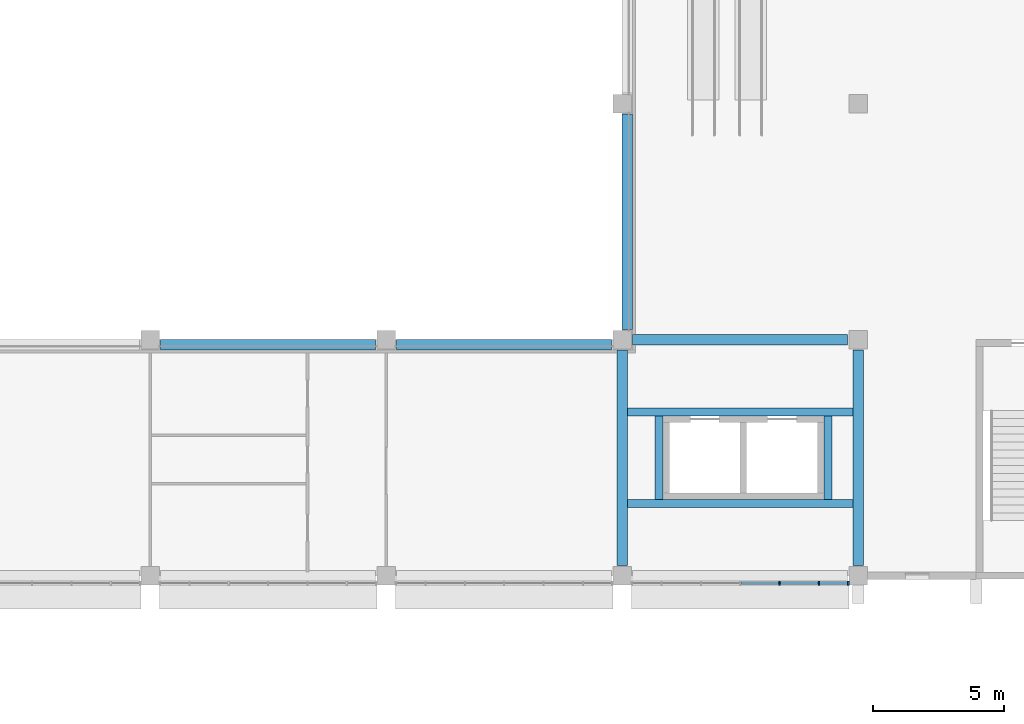
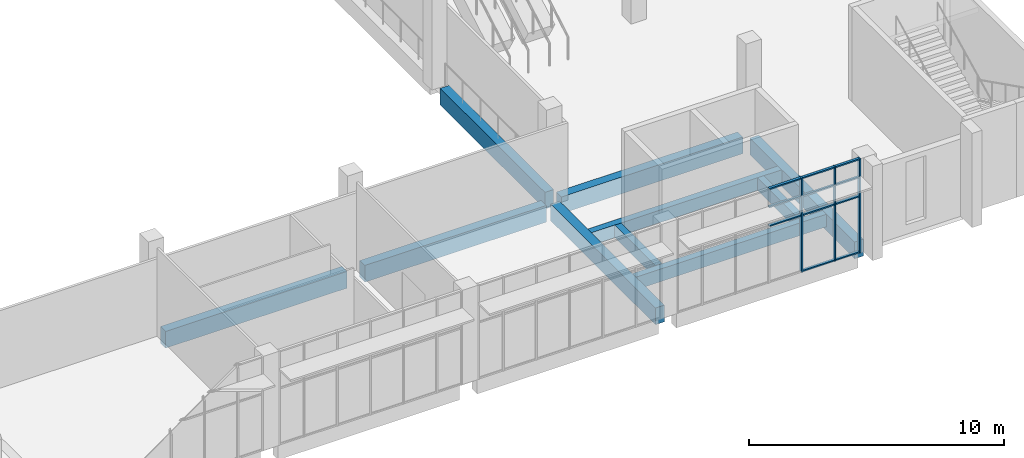
# One storey, part 6 of 45: 14 members, 10 beams, 1 element without a shape of its own.
"""IFC4 building model written with IfcOpenShell, lengths in metres."""

import ifcopenshell
import ifcopenshell.guid

model = None  # the IFC model being written
_history = None  # IfcOwnerHistory: only IFC2X3 demands one
_inside = {}  # id of a spatial element -> (the spatial element, [elements in it])
_under = {}  # id of a project, library or spatial element -> (it, [spatial elements below it])
_declared = {}  # id of a project -> (the project, [libraries it declares])
_typed = {}  # id of a type object -> (the type object, [elements of that type])
_made_of = {}  # id of a material, layer set ... -> (it, [elements and type objects made of it])


def new_model(schema):
    """Start an empty IFC model of exactly this schema.

    Asked for "IFC4X3", IfcOpenShell would pick the latest addendum, in which some entities
    have other attributes; the version numbers below select the first issue.
    IFC2X3 requires an IfcOwnerHistory on every rooted entity: one is made here for all.
    """
    global model, _history
    if schema == "IFC4X3":
        model = ifcopenshell.file(schema_version=(4, 3, 0, 0))
    else:
        model = ifcopenshell.file(schema=schema)
    _inside.clear()
    _under.clear()
    _declared.clear()
    _typed.clear()
    _made_of.clear()
    _history = None
    if model.schema == "IFC2X3":
        org = make("IfcOrganization", Name="unknown")
        user = make(
            "IfcPersonAndOrganization",
            ThePerson=make("IfcPerson", FamilyName="unknown"),
            TheOrganization=org,
        )
        app = make(
            "IfcApplication",
            ApplicationDeveloper=org,
            Version="unknown",
            ApplicationFullName="unknown",
            ApplicationIdentifier="unknown",
        )
        _history = make(
            "IfcOwnerHistory",
            OwningUser=user,
            OwningApplication=app,
            ChangeAction="ADDED",
            CreationDate=0,
        )
    return model


def make(cls, **values):
    """One entity of the class cls with the attributes given. An attribute that is None is left unset."""
    return model.create_entity(
        cls, **{name: value for name, value in values.items() if value is not None}
    )


def rooted(cls, **values):
    """An entity with a GlobalId (a new one), such as an element, a storey or a relation."""
    return make(cls, GlobalId=ifcopenshell.guid.new(), OwnerHistory=_history, **values)


def si_unit(unit_type, name, prefix=None):
    """IfcSIUnit, for example si_unit("LENGTHUNIT", "METRE", prefix="MILLI")."""
    return make("IfcSIUnit", UnitType=unit_type, Prefix=prefix, Name=name)


def assignment(units):
    """IfcUnitAssignment: the units of a project."""
    return None if units is None else make("IfcUnitAssignment", Units=units)


def point(xyz):
    """IfcCartesianPoint."""
    return None if xyz is None else make("IfcCartesianPoint", Coordinates=xyz)


def direction(xyz):
    """IfcDirection."""
    return None if xyz is None else make("IfcDirection", DirectionRatios=xyz)


def frame(location, z_axis=None, x_axis=None):
    """IfcAxis2Placement3D, a coordinate frame: its origin and axes. An axis left out is left unset."""
    return make(
        "IfcAxis2Placement3D",
        Location=point(location),
        Axis=direction(z_axis),
        RefDirection=direction(x_axis),
    )


def frame_2d(location, x_axis=None):
    """IfcAxis2Placement2D, a coordinate frame in the plane: its origin and x axis."""
    return make(
        "IfcAxis2Placement2D", Location=point(location), RefDirection=direction(x_axis)
    )


def origin():
    """The frame at (0, 0, 0) with its axes left unset."""
    return frame((0.0, 0.0, 0.0))


def origin_2d():
    """The frame at (0, 0) in the plane with its x axis left unset."""
    return frame_2d((0.0, 0.0))


def place(relative_to, where):
    """IfcLocalPlacement: puts the frame where relative to a parent placement (None: the world)."""
    return make(
        "IfcLocalPlacement", PlacementRelTo=relative_to, RelativePlacement=where
    )


def context(
    kind, dimensions, precision=None, world=None, true_north=None, identifier=None
):
    """IfcGeometricRepresentationContext, for example the 3D "Model" context."""
    return make(
        "IfcGeometricRepresentationContext",
        ContextIdentifier=identifier,
        ContextType=kind,
        CoordinateSpaceDimension=dimensions,
        Precision=precision,
        WorldCoordinateSystem=world,
        TrueNorth=true_north,
    )


def subcontext(parent, identifier, kind, view, scale=None):
    """IfcGeometricRepresentationSubContext, for example "Body" below "Model"."""
    return make(
        "IfcGeometricRepresentationSubContext",
        ContextIdentifier=identifier,
        ContextType=kind,
        ParentContext=parent,
        TargetScale=scale,
        TargetView=view,
    )


def project(units=None, contexts=None):
    """IfcProject with its units and contexts."""
    return rooted(
        "IfcProject",
        Name="project",
        RepresentationContexts=contexts,
        UnitsInContext=assignment(units),
    )


def spatial(cls, under=None, at=None, **own):
    """A site, building, storey or space (cls), placed at a placement, below another one or the project."""
    s = rooted(cls, ObjectPlacement=at, **own)
    if under is not None:
        _under.setdefault(under.id(), (under, []))[1].append(s)
    return s


def profile(cls, at=None, kind="AREA", **sizes):
    """A parametric profile (cls). Its sizes go by their IFC names, for example OverallWidth=200.0."""
    return make(cls, ProfileType=kind, Position=at, **sizes)


def rectangle(**sizes):
    """IfcRectangleProfileDef."""
    return profile("IfcRectangleProfileDef", **sizes)


def extrude(swept, where, along, depth):
    """IfcExtrudedAreaSolid: the profile swept, set in the frame where, extruded along a direction by depth."""
    return make(
        "IfcExtrudedAreaSolid",
        SweptArea=swept,
        Position=where,
        ExtrudedDirection=direction(along),
        Depth=depth,
    )


def shape(context_of_items, identifier, shape_type, items):
    """IfcShapeRepresentation: the items that make up one representation, for example the "Body"."""
    return make(
        "IfcShapeRepresentation",
        ContextOfItems=context_of_items,
        RepresentationIdentifier=identifier,
        RepresentationType=shape_type,
        Items=items,
    )


def material(Name=None, Category=None):
    """IfcMaterial."""
    return make("IfcMaterial", Name=Name, Category=Category)


def layer(
    of_material, thickness, ventilated=None, Name=None, Category=None, Priority=None
):
    """IfcMaterialLayer: one layer of a wall or slab, of a material (None: an air gap)."""
    return make(
        "IfcMaterialLayer",
        Material=of_material,
        LayerThickness=thickness,
        IsVentilated=ventilated,
        Name=Name,
        Category=Category,
        Priority=Priority,
    )


def layer_set(layers, Name=None):
    """IfcMaterialLayerSet."""
    return make("IfcMaterialLayerSet", MaterialLayers=layers, LayerSetName=Name)


def material_profile(
    of_material, cross_section, Name=None, Category=None, Priority=None
):
    """IfcMaterialProfile: a cross section and its material."""
    return make(
        "IfcMaterialProfile",
        Name=Name,
        Material=of_material,
        Profile=cross_section,
        Priority=Priority,
        Category=Category,
    )


def profile_set(profiles, Name=None, composite=None):
    """IfcMaterialProfileSet."""
    return make(
        "IfcMaterialProfileSet",
        Name=Name,
        MaterialProfiles=profiles,
        CompositeProfile=composite,
    )


def made_of(thing, what):
    """Note that an element or type object is made of a material, layer set ...; save() writes the relation."""
    if what is not None:
        _made_of.setdefault(what.id(), (what, []))[1].append(thing)
    return thing


def type_object(cls, material=None, **own):
    """A type object (cls), such as IfcWallType, which elements share."""
    return made_of(rooted(cls, **own), material)


def element(
    cls,
    number,
    at=None,
    inside=None,
    cuts=None,
    type_object=None,
    material=None,
    context=None,
    identifier="Body",
    shape_type=None,
    held_by="IfcProductDefinitionShape",
    body=None,
    shapes=None,
    **own,
):
    """One element of the class cls, such as IfcWall. Its Tag is "e" and its number.

    at: its placement. inside: the storey or other place that contains it. cuts: it is an
    opening in that element (IfcRelVoidsElement). A single representation is given by context,
    identifier, shape_type and body (its items); several are given by shapes. held_by: the class
    of the entity that holds the representations. save() writes the other relations.
    """
    e = rooted(cls, Tag="e%d" % number, ObjectPlacement=at, **own)
    if body is not None:
        shapes = [shape(context, identifier, shape_type, body)]
    if shapes is not None:
        e.Representation = make(held_by, Representations=shapes)
    if inside is not None:
        _inside.setdefault(inside.id(), (inside, []))[1].append(e)
    if cuts is not None:
        rooted(
            "IfcRelVoidsElement", RelatingBuildingElement=cuts, RelatedOpeningElement=e
        )
    if type_object is not None:
        _typed.setdefault(type_object.id(), (type_object, []))[1].append(e)
    return made_of(e, material)


def aggregate(whole, parts):
    """IfcRelAggregates: a whole, such as a stair, and the parts it consists of."""
    return rooted("IfcRelAggregates", RelatingObject=whole, RelatedObjects=parts)


def save(model, path):
    """Write the relations noted so far, then the file.

    IfcRelAggregates (storeys below a building ...), IfcRelContainedInSpatialStructure (elements
    in a storey), IfcRelDefinesByType, IfcRelAssociatesMaterial and IfcRelDeclares: one each for
    every whole, place, type object, material and project.
    """
    for whole, parts in _under.values():
        aggregate(whole, parts)
    for where, things in _inside.values():
        rooted(
            "IfcRelContainedInSpatialStructure",
            RelatedElements=things,
            RelatingStructure=where,
        )
    for kind, things in _typed.values():
        rooted("IfcRelDefinesByType", RelatedObjects=things, RelatingType=kind)
    for what, things in _made_of.values():
        rooted("IfcRelAssociatesMaterial", RelatedObjects=things, RelatingMaterial=what)
    for by, libraries in _declared.values():
        rooted("IfcRelDeclares", RelatingContext=by, RelatedDefinitions=libraries)
    model.write(path)


model = new_model("IFC4")

# Units and contexts
model_context = context("Model", 3, precision=1e-05, world=origin(), true_north=direction((0.0, 1.0)))
body_context = subcontext(model_context, "Body", "Model", "MODEL_VIEW")
ifc_project = project(units=[si_unit("LENGTHUNIT", "METRE"), si_unit("AREAUNIT", "SQUARE_METRE"), si_unit("VOLUMEUNIT", "CUBIC_METRE"), si_unit("PLANEANGLEUNIT", "RADIAN"), si_unit("MASSUNIT", "GRAM", prefix="KILO")], contexts=[model_context])

# Site, building, storey
site_placement = place(None, origin())
site = spatial("IfcSite", under=ifc_project, at=site_placement, CompositionType="ELEMENT")
building_placement = place(site_placement, origin())
building = spatial("IfcBuilding", under=site, at=building_placement, Name="Guidao Yard Department Store", CompositionType="ELEMENT")
storey_placement = place(building_placement, frame((0.0, 0.0, 19.5)))
storey = spatial("IfcBuildingStorey", under=building, at=storey_placement, Name="L04", CompositionType="ELEMENT", Elevation=19.5)

# Beams
ifc_material_1 = material(Name="Concrete C40", Category="concrete")
ifc_material_profile_1 = material_profile(ifc_material_1, rectangle(XDim=0.39990234375, YDim=0.800048828125, at=origin_2d()), Name="Edge beam 400 x 800 C40")
ifc_profile_set_1 = profile_set([ifc_material_profile_1], Name="Concrete C40")
beam_type_1 = type_object("IfcBeamType", Name="Edge beam 400 x 800 C40", PredefinedType="BEAM", material=ifc_profile_set_1)
for number, where, z_axis, x_axis, name in (
    (1, (27.39990234375, 53.800048828125, -0.39990234375), (1.0, 0.0, 0.0), (0.0, 1.0, 0.0), "Beam EB18"),
    (2, (36.39990234375, 53.800048828125, -0.39990234375), (1.0, 0.0, 0.0), (0.0, 1.0, 0.0), "Beam EB19"),
    (3, (45.199951171875, 54.39990234375, -0.39990234375), (0.0, 1.0, 0.0), (-1.0, 0.0, 0.0), "Beam EB20"),
    (4, (45.39990234375, 54.0, -0.39990234375), (1.0, 0.0, 0.0), (0.0, 1.0, 0.0), "Beam EB37"),
    (5, (45.0, 45.39990234375, -0.39990234375), (0.0, 1.0, 0.0), (-1.0, 0.0, 0.0), "Beam EB38"),
    (6, (54.0, 45.39990234375, -0.39990234375), (0.0, 1.0, 0.0), (-1.0, 0.0, 0.0), "Beam EB39"),
):
    element("IfcBeam", number, at=place(storey_placement, frame(where, z_axis=z_axis, x_axis=x_axis)), inside=storey, type_object=beam_type_1, Name=name, PredefinedType="BEAM", context=body_context, shape_type="SweptSolid", body=[
        extrude(rectangle(XDim=0.39990234375, YDim=0.800048828125, at=origin_2d()), origin(), (0.0, 0.0, 1.0), 8.2001953125),
    ])

# Curtain wall, members
ifc_material_2 = material(Name="Aluminium and glass", Category="aluminium")
ifc_layer = layer(ifc_material_2, 0.159912109375)
ifc_layer_set = layer_set([ifc_layer], Name="Hall front curtain wall CW2 1500 module")
curtain_wall_type = type_object("IfcCurtainWallType", Name="Hall front curtain wall CW2 1500 module", PredefinedType="NOTDEFINED", material=ifc_layer_set)
curtain_wall_placement = place(storey_placement, origin())
curtain_wall = element("IfcCurtainWall", 7, at=curtain_wall_placement, inside=storey, type_object=curtain_wall_type, Name="Hall front curtain wall", PredefinedType="NOTDEFINED")
ifc_material_3 = material(Name="Aluminium 6063-T5", Category="aluminium")
ifc_material_profile_2 = material_profile(ifc_material_3, rectangle(XDim=0.06005859375, YDim=0.159912109375, at=origin_2d()), Name="Mullion M1 60 x 160 aluminium pressure plate")
ifc_profile_set_2 = profile_set([ifc_material_profile_2], Name="Aluminium 6063-T5")
member_type_1 = type_object("IfcMemberType", Name="Mullion M1 60 x 160 aluminium pressure plate", PredefinedType="MULLION", material=ifc_profile_set_2)
member_1_placement = place(storey_placement, frame((51.0, 44.719970703125, 0.0), z_axis=(0.0, 0.0, 1.0), x_axis=(-1.0, 0.0, 0.0)))
member_1 = element("IfcMember", 8, at=member_1_placement, type_object=member_type_1, Name="CW-HF-L04-05 mullion 5", PredefinedType="MULLION", context=body_context, shape_type="SweptSolid", body=[
    extrude(rectangle(XDim=0.06005859375, YDim=0.159912109375, at=origin_2d()), origin(), (0.0, 0.0, 1.0), 4.5),
])
member_2_placement = place(storey_placement, frame((52.5, 44.719970703125, 0.0), z_axis=(0.0, 0.0, 1.0), x_axis=(-1.0, 0.0, 0.0)))
member_2 = element("IfcMember", 9, at=member_2_placement, type_object=member_type_1, Name="CW-HF-L04-05 mullion 6", PredefinedType="MULLION", context=body_context, shape_type="SweptSolid", body=[
    extrude(rectangle(XDim=0.06005859375, YDim=0.159912109375, at=origin_2d()), origin(), (0.0, 0.0, 1.0), 4.5),
])
member_3_placement = place(storey_placement, frame((53.6201171875, 44.719970703125, 0.0), z_axis=(0.0, 0.0, 1.0), x_axis=(-1.0, 0.0, 0.0)))
member_3 = element("IfcMember", 10, at=member_3_placement, type_object=member_type_1, Name="CW-HF-L04-05 mullion 7", PredefinedType="MULLION", context=body_context, shape_type="SweptSolid", body=[
    extrude(rectangle(XDim=0.06005859375, YDim=0.159912109375, at=origin_2d()), origin(), (0.0, 0.0, 1.0), 4.5),
])

# Beams
ifc_material_4 = material(Name="Concrete C40", Category="concrete")
ifc_material_profile_3 = material_profile(ifc_material_4, rectangle(XDim=0.300048828125, YDim=0.60009765625, at=origin_2d()), Name="Opening beam 300 x 600 C40")
ifc_profile_set_3 = profile_set([ifc_material_profile_3], Name="Concrete C40")
beam_type_2 = type_object("IfcBeamType", Name="Opening beam 300 x 600 C40", PredefinedType="BEAM", material=ifc_profile_set_3)
for number, where, z_axis, x_axis, name in (
    (11, (45.199951171875, 47.75, -0.300048828125), (1.0, 0.0, 0.0), (0.0, 1.0, 0.0), "Beam OB09"),
    (12, (45.199951171875, 51.25, -0.300048828125), (1.0, 0.0, 0.0), (0.0, 1.0, 0.0), "Beam OB10"),
):
    element("IfcBeam", number, at=place(storey_placement, frame(where, z_axis=z_axis, x_axis=x_axis)), inside=storey, type_object=beam_type_2, Name=name, PredefinedType="BEAM", context=body_context, shape_type="SweptSolid", body=[
        extrude(rectangle(XDim=0.300048828125, YDim=0.60009765625, at=origin_2d()), origin(), (0.0, 0.0, 1.0), 8.60009765625),
    ])
for number, where, z_axis, x_axis, name in (
    (13, (46.39990234375, 47.89990234375, -0.300048828125), (0.0, 1.0, 0.0), (-1.0, 0.0, 0.0), "Beam OB11"),
    (14, (52.85009765625, 47.89990234375, -0.300048828125), (0.0, 1.0, 0.0), (-1.0, 0.0, 0.0), "Beam OB12"),
):
    element("IfcBeam", number, at=place(storey_placement, frame(where, z_axis=z_axis, x_axis=x_axis)), inside=storey, type_object=beam_type_2, Name=name, PredefinedType="BEAM", context=body_context, shape_type="SweptSolid", body=[
        extrude(rectangle(XDim=0.300048828125, YDim=0.60009765625, at=origin_2d()), origin(), (0.0, 0.0, 1.0), 3.2001953125),
    ])

# Member
ifc_material_5 = material(Name="Aluminium 6063-T5", Category="aluminium")
ifc_material_profile_4 = material_profile(ifc_material_5, rectangle(XDim=0.1201171875, YDim=0.06005859375, at=origin_2d()), Name="Transom T1 60 x 120 aluminium pressure plate")
ifc_profile_set_4 = profile_set([ifc_material_profile_4], Name="Aluminium 6063-T5")
member_type_2 = type_object("IfcMemberType", Name="Transom T1 60 x 120 aluminium pressure plate", PredefinedType="USERDEFINED", material=ifc_profile_set_4)
member_4_placement = place(storey_placement, frame((50.969970703125, 44.719970703125, 2.699951171875), z_axis=(-1.0, 0.0, 0.0), x_axis=(0.0, -1.0, 0.0)))
member_4 = element("IfcMember", 15, at=member_4_placement, type_object=member_type_2, Name="CW-HF-L04-05 transom 4.2", ObjectType="TRANSOM", PredefinedType="USERDEFINED", context=body_context, shape_type="SweptSolid", body=[
    extrude(rectangle(XDim=0.1201171875, YDim=0.06005859375, at=origin_2d()), origin(), (0.0, 0.0, 1.0), 1.43994140625),
])

member_5_placement = place(storey_placement, frame((50.969970703125, 44.719970703125, 3.60009765625), z_axis=(-1.0, 0.0, 0.0), x_axis=(0.0, -1.0, 0.0)))
member_5 = element("IfcMember", 16, at=member_5_placement, type_object=member_type_2, Name="CW-HF-L04-05 transom 4.3", ObjectType="TRANSOM", PredefinedType="USERDEFINED", context=body_context, shape_type="SweptSolid", body=[
    extrude(rectangle(XDim=0.1201171875, YDim=0.06005859375, at=origin_2d()), origin(), (0.0, 0.0, 1.0), 1.43994140625),
])

member_6_placement = place(storey_placement, frame((50.969970703125, 44.719970703125, 4.469970703125), z_axis=(-1.0, 0.0, 0.0), x_axis=(0.0, -1.0, 0.0)))
member_6 = element("IfcMember", 17, at=member_6_placement, type_object=member_type_2, Name="CW-HF-L04-05 transom 4.4", ObjectType="TRANSOM", PredefinedType="USERDEFINED", context=body_context, shape_type="SweptSolid", body=[
    extrude(rectangle(XDim=0.1201171875, YDim=0.06005859375, at=origin_2d()), origin(), (0.0, 0.0, 1.0), 1.43994140625),
])

member_7_placement = place(storey_placement, frame((52.469970703125, 44.719970703125, 0.030029296875), z_axis=(-1.0, 0.0, 0.0), x_axis=(0.0, -1.0, 0.0)))
member_7 = element("IfcMember", 18, at=member_7_placement, type_object=member_type_2, Name="CW-HF-L04-05 transom 5.1", ObjectType="TRANSOM", PredefinedType="USERDEFINED", context=body_context, shape_type="SweptSolid", body=[
    extrude(rectangle(XDim=0.1201171875, YDim=0.06005859375, at=origin_2d()), origin(), (0.0, 0.0, 1.0), 1.43994140625),
])

member_8_placement = place(storey_placement, frame((52.469970703125, 44.719970703125, 2.699951171875), z_axis=(-1.0, 0.0, 0.0), x_axis=(0.0, -1.0, 0.0)))
member_8 = element("IfcMember", 19, at=member_8_placement, type_object=member_type_2, Name="CW-HF-L04-05 transom 5.2", ObjectType="TRANSOM", PredefinedType="USERDEFINED", context=body_context, shape_type="SweptSolid", body=[
    extrude(rectangle(XDim=0.1201171875, YDim=0.06005859375, at=origin_2d()), origin(), (0.0, 0.0, 1.0), 1.43994140625),
])

member_9_placement = place(storey_placement, frame((52.469970703125, 44.719970703125, 3.60009765625), z_axis=(-1.0, 0.0, 0.0), x_axis=(0.0, -1.0, 0.0)))
member_9 = element("IfcMember", 20, at=member_9_placement, type_object=member_type_2, Name="CW-HF-L04-05 transom 5.3", ObjectType="TRANSOM", PredefinedType="USERDEFINED", context=body_context, shape_type="SweptSolid", body=[
    extrude(rectangle(XDim=0.1201171875, YDim=0.06005859375, at=origin_2d()), origin(), (0.0, 0.0, 1.0), 1.43994140625),
])

member_10_placement = place(storey_placement, frame((52.469970703125, 44.719970703125, 4.469970703125), z_axis=(-1.0, 0.0, 0.0), x_axis=(0.0, -1.0, 0.0)))
member_10 = element("IfcMember", 21, at=member_10_placement, type_object=member_type_2, Name="CW-HF-L04-05 transom 5.4", ObjectType="TRANSOM", PredefinedType="USERDEFINED", context=body_context, shape_type="SweptSolid", body=[
    extrude(rectangle(XDim=0.1201171875, YDim=0.06005859375, at=origin_2d()), origin(), (0.0, 0.0, 1.0), 1.43994140625),
])

member_11_placement = place(storey_placement, frame((53.590087890625, 44.719970703125, 0.030029296875), z_axis=(-1.0, 0.0, 0.0), x_axis=(0.0, -1.0, 0.0)))
member_11 = element("IfcMember", 22, at=member_11_placement, type_object=member_type_2, Name="CW-HF-L04-05 transom 6.1", ObjectType="TRANSOM", PredefinedType="USERDEFINED", context=body_context, shape_type="SweptSolid", body=[
    extrude(rectangle(XDim=0.1201171875, YDim=0.06005859375, at=origin_2d()), origin(), (0.0, 0.0, 1.0), 1.06005859375),
])

member_12_placement = place(storey_placement, frame((53.590087890625, 44.719970703125, 2.699951171875), z_axis=(-1.0, 0.0, 0.0), x_axis=(0.0, -1.0, 0.0)))
member_12 = element("IfcMember", 23, at=member_12_placement, type_object=member_type_2, Name="CW-HF-L04-05 transom 6.2", ObjectType="TRANSOM", PredefinedType="USERDEFINED", context=body_context, shape_type="SweptSolid", body=[
    extrude(rectangle(XDim=0.1201171875, YDim=0.06005859375, at=origin_2d()), origin(), (0.0, 0.0, 1.0), 1.06005859375),
])

member_13_placement = place(storey_placement, frame((53.590087890625, 44.719970703125, 3.60009765625), z_axis=(-1.0, 0.0, 0.0), x_axis=(0.0, -1.0, 0.0)))
member_13 = element("IfcMember", 24, at=member_13_placement, type_object=member_type_2, Name="CW-HF-L04-05 transom 6.3", ObjectType="TRANSOM", PredefinedType="USERDEFINED", context=body_context, shape_type="SweptSolid", body=[
    extrude(rectangle(XDim=0.1201171875, YDim=0.06005859375, at=origin_2d()), origin(), (0.0, 0.0, 1.0), 1.06005859375),
])

member_14_placement = place(storey_placement, frame((53.590087890625, 44.719970703125, 4.469970703125), z_axis=(-1.0, 0.0, 0.0), x_axis=(0.0, -1.0, 0.0)))
member_14 = element("IfcMember", 25, at=member_14_placement, type_object=member_type_2, Name="CW-HF-L04-05 transom 6.4", ObjectType="TRANSOM", PredefinedType="USERDEFINED", context=body_context, shape_type="SweptSolid", body=[
    extrude(rectangle(XDim=0.1201171875, YDim=0.06005859375, at=origin_2d()), origin(), (0.0, 0.0, 1.0), 1.06005859375),
])

aggregate(curtain_wall, [member_1, member_2, member_3, member_4, member_5, member_6, member_7, member_8, member_9, member_10, member_11, member_12, member_13, member_14])

save(model, "model.ifc")
